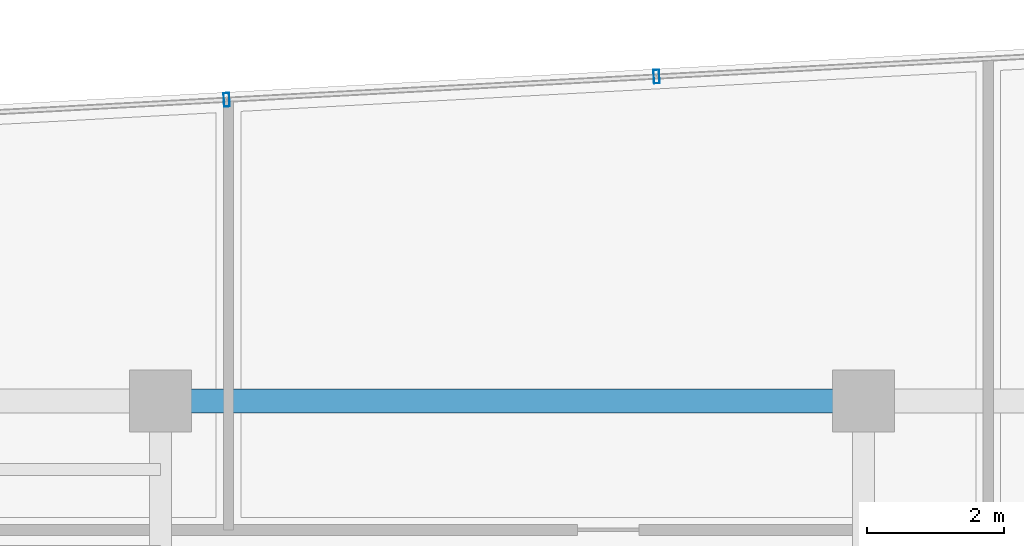
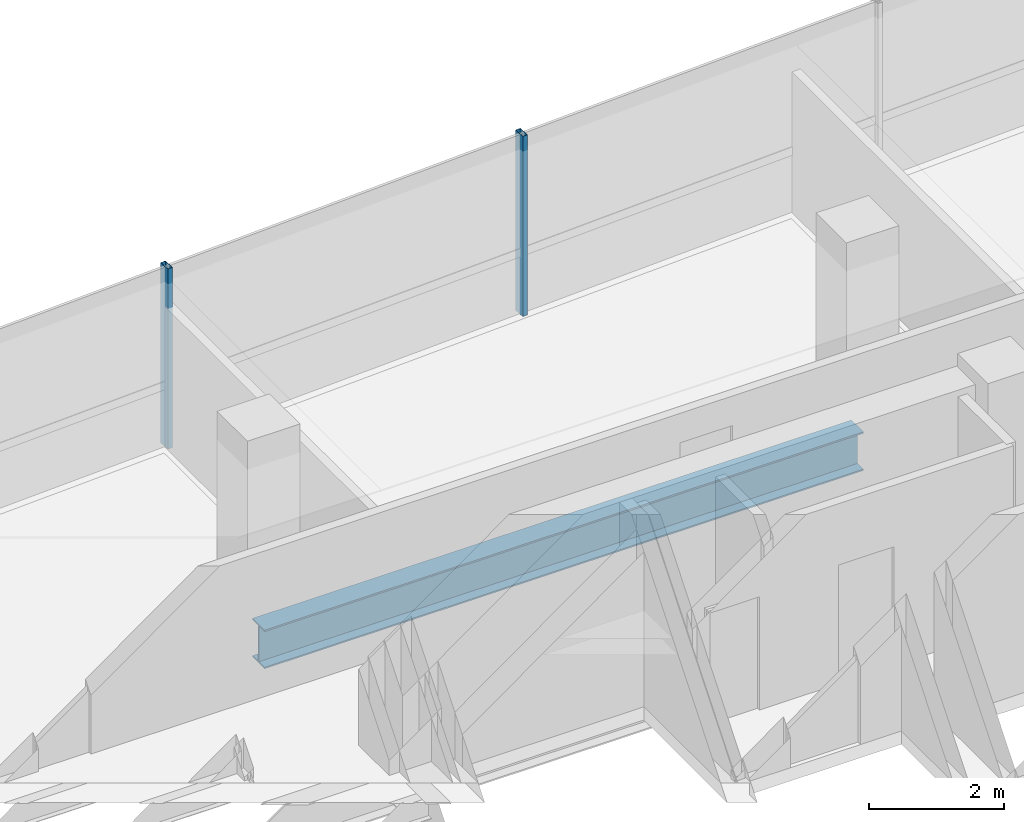
# One storey, part 13 of 21: 2 members, 1 beam, 1 element without a shape of its own.
"""IFC4 building model written with IfcOpenShell, lengths in metres."""

from ifc_helpers import new_model, si_unit, direction, frame, origin, origin_2d, place, context, subcontext, project, spatial, hollow_rectangle, i_section, extrude, source, transform, mapped, material, material_profile, profile_set, type_object, element, aggregate, save


model = new_model("IFC4")

# Units and contexts
model_context = context("Model", 3, precision=1e-05, world=origin(), true_north=direction((0.0, 1.0)))
body_context = subcontext(model_context, "Body", "Model", "MODEL_VIEW")
ifc_project = project(units=[si_unit("LENGTHUNIT", "METRE"), si_unit("AREAUNIT", "SQUARE_METRE"), si_unit("VOLUMEUNIT", "CUBIC_METRE"), si_unit("PLANEANGLEUNIT", "RADIAN"), si_unit("MASSUNIT", "GRAM", prefix="KILO")], contexts=[model_context])

# Site, building, storey
site_placement = place(None, origin())
site = spatial("IfcSite", under=ifc_project, at=site_placement, CompositionType="ELEMENT")
building_placement = place(site_placement, origin())
building = spatial("IfcBuilding", under=site, at=building_placement, Name="Valdorenza Pilgrim Sanctuary Tower", CompositionType="ELEMENT")
storey_placement = place(building_placement, frame((0.0, 0.0, 219.5)))
storey = spatial("IfcBuildingStorey", under=building, at=storey_placement, Name="L56", CompositionType="ELEMENT", Elevation=219.5)

# Beam
ifc_material_1 = material(Name="Steel ASTM A992 Grade 50", Category="steel")
ifc_material_profile_1 = material_profile(ifc_material_1, i_section(OverallWidth=0.35595703125, OverallDepth=0.700927734375, WebThickness=0.016845703125, FlangeThickness=0.02734375, at=origin_2d()), Name="W27X161")
ifc_profile_set_1 = profile_set([ifc_material_profile_1], Name="Steel ASTM A992 Grade 50")
beam_type = type_object("IfcBeamType", Name="STR-BM-GRD-W27", PredefinedType="BEAM", material=ifc_profile_set_1)
shared_shape_1 = source(origin(), body_context, "Body", "SweptSolid", [
    extrude(i_section(OverallWidth=0.35595703125, OverallDepth=0.700927734375, WebThickness=0.016845703125, FlangeThickness=0.02734375, at=origin_2d()), origin(), (0.0, 0.0, 1.0), 10.25),
])
beam_placement = place(storey_placement, frame((-22.64990234375, 14.800048828125, -0.590576171875), z_axis=(1.0, 0.0, 0.0), x_axis=(0.0, 1.0, 0.0)))
element("IfcBeam", 1, at=beam_placement, inside=storey, type_object=beam_type, Name="L56 Floor Girder CA-XC-N2", PredefinedType="BEAM", context=body_context, shape_type="MappedRepresentation", body=[
    mapped(shared_shape_1, transform((0.0, 0.0, 0.0), x_axis=(1.0, 0.0, 0.0), y_axis=(0.0, 1.0, 0.0), z_axis=(0.0, 0.0, 1.0), scale=1.0)),
])

# Curtain wall, members
ifc_material_2 = material(Name="Curtain-wall IGU glazing", Category="glass")
curtain_wall_type = type_object("IfcCurtainWallType", Name="CW-SYS-02", PredefinedType="NOTDEFINED", material=ifc_material_2)
curtain_wall_placement = place(storey_placement, origin())
curtain_wall = element("IfcCurtainWall", 2, at=curtain_wall_placement, inside=storey, type_object=curtain_wall_type, Name="L56 Curtain Wall CW-L56-1-6", PredefinedType="NOTDEFINED")
ifc_material_3 = material(Name="Anodised aluminium AW-6060", Category="aluminium")
ifc_material_profile_2 = material_profile(ifc_material_3, hollow_rectangle(XDim=0.0849609375, YDim=0.199951171875, WallThickness=0.0048828125, at=origin_2d()), Name="ALU-M 200x85x5")
ifc_profile_set_2 = profile_set([ifc_material_profile_2], Name="Anodised aluminium AW-6060")
member_type = type_object("IfcMemberType", Name="CW-MUL-02", PredefinedType="MULLION", material=ifc_profile_set_2)
shared_shape_2 = source(origin(), body_context, "Body", "SweptSolid", [
    extrude(hollow_rectangle(XDim=0.0849609375, YDim=0.199951171875, WallThickness=0.0048828125, at=origin_2d()), origin(), (0.0, 0.0, 1.0), 3.260009765625),
])
member_1_placement = place(storey_placement, frame((-21.686279296875, 19.1923828125, 0.0), z_axis=(0.0, 0.0, 1.0), x_axis=(0.998547034311, 0.053887106711, 0.0)))
member_1 = element("IfcMember", 3, at=member_1_placement, type_object=member_type, Name="CW-L56-1-6 Mullion 2", PredefinedType="MULLION", context=body_context, shape_type="MappedRepresentation", body=[
    mapped(shared_shape_2, transform((0.0, 0.0, 0.0), x_axis=(1.0, 0.0, 0.0), y_axis=(0.0, 1.0, 0.0), z_axis=(0.0, 0.0, 1.0), scale=1.0)),
])
member_2_placement = place(storey_placement, frame((-15.4169921875, 19.531005859375, 0.0), z_axis=(0.0, 0.0, 1.0), x_axis=(0.998547034311, 0.053887106711, 0.0)))
member_2 = element("IfcMember", 4, at=member_2_placement, type_object=member_type, Name="CW-L56-1-6 Mullion 3", PredefinedType="MULLION", context=body_context, shape_type="MappedRepresentation", body=[
    mapped(shared_shape_2, transform((0.0, 0.0, 0.0), x_axis=(1.0, 0.0, 0.0), y_axis=(0.0, 1.0, 0.0), z_axis=(0.0, 0.0, 1.0), scale=1.0)),
])
aggregate(curtain_wall, [member_1, member_2])

save(model, "model.ifc")
